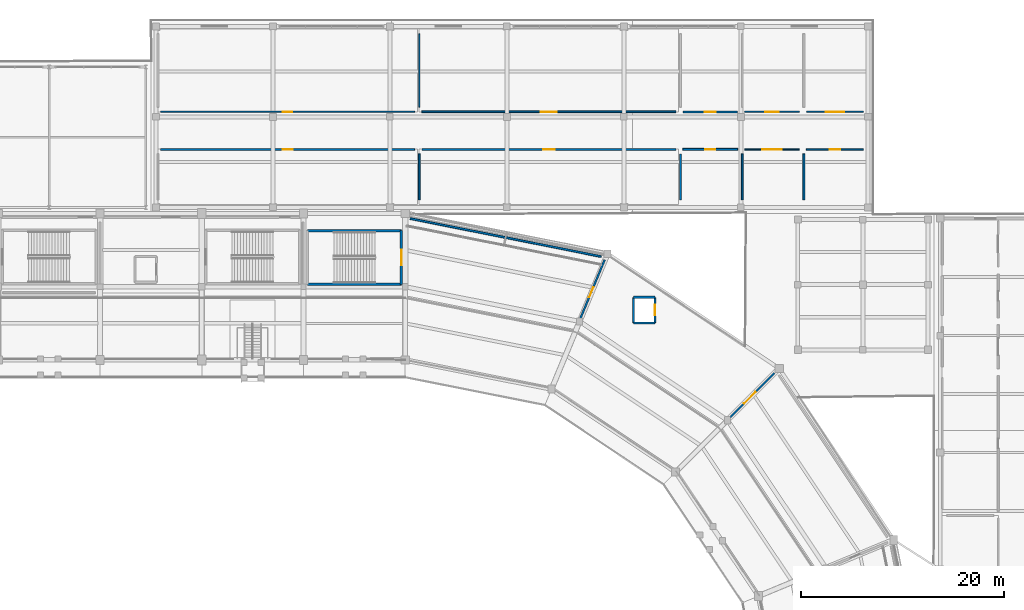
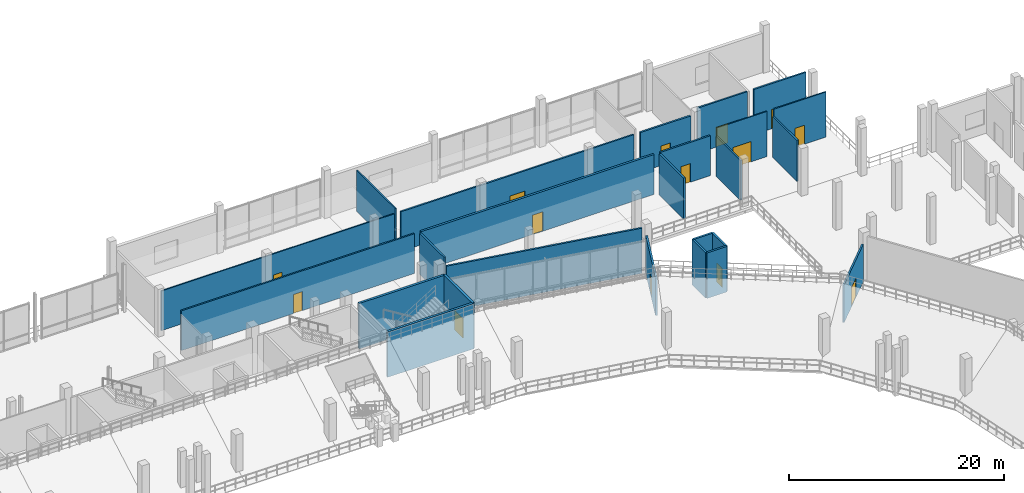
# One storey, part 85 of 127: 25 walls, 14 doors, 14 openings.
"""IFC4 building model written with IfcOpenShell, lengths in metres."""

from ifc_helpers import new_model, si_unit, direction, frame, frame_2d, origin, place, context, subcontext, project, spatial, rectangle, extrude, material, layer, layer_set, type_object, element, fill, save


model = new_model("IFC4")

# Units and contexts
model_context = context("Model", 3, precision=1e-05, world=origin(), true_north=direction((0.0, 1.0)))
body_context = subcontext(model_context, "Body", "Model", "MODEL_VIEW")
ifc_project = project(units=[si_unit("LENGTHUNIT", "METRE"), si_unit("AREAUNIT", "SQUARE_METRE"), si_unit("VOLUMEUNIT", "CUBIC_METRE"), si_unit("PLANEANGLEUNIT", "RADIAN"), si_unit("MASSUNIT", "GRAM", prefix="KILO")], contexts=[model_context])

# Site, building, storey
site_placement = place(None, origin())
site = spatial("IfcSite", under=ifc_project, at=site_placement, CompositionType="ELEMENT")
building_placement = place(site_placement, origin())
building = spatial("IfcBuilding", under=site, at=building_placement, Name="Candeia Ridge Stadium", CompositionType="ELEMENT")
storey_placement = place(building_placement, frame((0.0, 0.0, 10.800048828125)))
storey = spatial("IfcBuildingStorey", under=building, at=storey_placement, Name="L02", CompositionType="ELEMENT", Elevation=10.800048828125)

# Wall, opening, door
ifc_material_1 = material(Name="Gypsum Metal-Stud Partition", Category="gypsum")
ifc_layer_1 = layer(ifc_material_1, 0.14501953125, Name="Gypsum Metal-Stud Partition", Category="gypsum")
ifc_layer_set_1 = layer_set([ifc_layer_1], Name="Gypsum Metal-Stud Partition")
wall_type_1 = type_object("IfcWallType", Name="Athlete Recovery Partition 145", PredefinedType="PARTITIONING", material=ifc_layer_set_1)
wall_1_placement = place(storey_placement, frame((180.447998046875, 153.300048828125, 0.0), z_axis=(0.0, 0.0, 1.0), x_axis=(1.0, 0.0, 0.0)))
wall_1 = element("IfcWall", 1, at=wall_1_placement, inside=storey, type_object=wall_type_1, Name="Interior partition PT-L02-0443", PredefinedType="PARTITIONING", context=body_context, shape_type="SweptSolid", body=[
    extrude(rectangle(XDim=5.60205078125, YDim=0.14501953125, at=frame_2d((2.801025390625, 0.0))), origin(), (0.0, 0.0, 1.0), 5.119873046875),
])
opening_1_placement = place(wall_1_placement, frame((2.291015625, 0.0, 0.0)))
opening_1 = element("IfcOpeningElement", 2, at=opening_1_placement, cuts=wall_1, Name="Opening ID16", PredefinedType="OPENING", context=body_context, shape_type="SweptSolid", body=[
    extrude(rectangle(XDim=1.02001953125, YDim=2.14990234375, at=frame_2d((0.510009765625, 1.074951171875))), frame((0.0, 0.08251953125, 0.0), z_axis=(0.0, -1.0, 0.0), x_axis=(1.0, 0.0, 0.0)), (0.0, 0.0, 1.0), 0.1650390625),
])
ifc_material_2 = material(Name="Solid Core Cedar Veneer", Category="wood")
door_type_1 = type_object("IfcDoorType", Name="Community Classroom Door 1020x2150", OperationType="NOTDEFINED", PredefinedType="DOOR", material=ifc_material_2)
door_1_placement = place(opening_1_placement, frame((1.02001953125, 0.0, 0.0), z_axis=(0.0, 0.0, 1.0), x_axis=(-1.0, 0.0, 0.0)))
door_1 = element("IfcDoor", 3, at=door_1_placement, inside=storey, type_object=door_type_1, Name="Interior room door D-L02-0229", OperationType="SINGLE_SWING_LEFT", OverallHeight=2.14990234375, OverallWidth=1.02001953125, PredefinedType="DOOR", context=body_context, shape_type="SweptSolid", body=[
    extrude(rectangle(XDim=1.02001953125, YDim=2.14990234375, at=frame_2d((0.510009765625, 1.074951171875))), frame((0.0, 0.02490234375, 0.0), z_axis=(0.0, -1.0, 0.0), x_axis=(1.0, 0.0, 0.0)), (0.0, 0.0, 1.0), 0.050048828125),
])
fill(opening_1, door_1)

# Walls
ifc_material_3 = material(Name="Concrete C40/50", Category="concrete")
ifc_layer_2 = layer(ifc_material_3, 0.25, Name="Concrete C40/50", Category="concrete")
ifc_layer_set_2 = layer_set([ifc_layer_2], Name="Concrete C40/50")
wall_type_2 = type_object("IfcWallType", Name="Core Shear Wall Concrete 250", PredefinedType="SHEAR", material=ifc_layer_set_2)
for number, where, z_axis, x_axis, name in (
    (4, (140.62451171875, 145.32470703125, 0.0), (0.0, 0.0, 1.0), (-1.0, 0.0, 0.0), "Core C04 left shear wall L02"),
    (5, (131.37548828125, 140.025390625, 0.0), (0.0, 0.0, 1.0), (1.0, 0.0, 0.0), "Core C04 right shear wall L02"),
):
    element("IfcWall", number, at=place(storey_placement, frame(where, z_axis=z_axis, x_axis=x_axis)), inside=storey, type_object=wall_type_2, Name=name, PredefinedType="SHEAR", context=body_context, shape_type="SweptSolid", body=[
        extrude(rectangle(XDim=9.2490234375, YDim=0.25, at=frame_2d((4.62451171875, 0.0))), origin(), (0.0, 0.0, 1.0), 5.14990234375),
    ])

# Wall, opening, door
wall_2_placement = place(storey_placement, frame((140.62451171875, 140.025390625, 0.0), z_axis=(0.0, 0.0, 1.0), x_axis=(0.0, 1.0, 0.0)))
wall_2 = element("IfcWall", 6, at=wall_2_placement, inside=storey, type_object=wall_type_2, Name="Core C04 near shear wall L02", PredefinedType="SHEAR", context=body_context, shape_type="SweptSolid", body=[
    extrude(rectangle(XDim=5.29931640625, YDim=0.25, at=frame_2d((2.649658203125, 0.0))), origin(), (0.0, 0.0, 1.0), 5.14990234375),
])
opening_2_placement = place(wall_2_placement, frame((1.899658203125, 0.0, 0.0)))
opening_2 = element("IfcOpeningElement", 7, at=opening_2_placement, cuts=wall_2, Name="Opening FD01", PredefinedType="OPENING", context=body_context, shape_type="SweptSolid", body=[
    extrude(rectangle(XDim=1.5, YDim=2.199951171875, at=frame_2d((0.75, 1.10009765625))), frame((0.0, 0.135009765625, 0.0), z_axis=(0.0, -1.0, 0.0), x_axis=(1.0, 0.0, 0.0)), (0.0, 0.0, 1.0), 0.27001953125),
])
ifc_material_4 = material(Name="Galvanized Fire-Rated Steel", Category="steel")
door_type_2 = type_object("IfcDoorType", Name="Exit Stair Core Fire Door 1500x2200", OperationType="NOTDEFINED", PredefinedType="DOOR", material=ifc_material_4)
door_2_placement = place(opening_2_placement, origin())
door_2 = element("IfcDoor", 8, at=door_2_placement, inside=storey, type_object=door_type_2, Name="Exit stair fire door SD-ST04-L02", OperationType="DOUBLE_DOOR_SINGLE_SWING", OverallHeight=2.199951171875, OverallWidth=1.5, PredefinedType="DOOR", context=body_context, shape_type="SweptSolid", body=[
    extrude(rectangle(XDim=1.5, YDim=2.199951171875, at=frame_2d((0.75, 1.10009765625))), frame((0.0, 0.02490234375, 0.0), z_axis=(0.0, -1.0, 0.0), x_axis=(1.0, 0.0, 0.0)), (0.0, 0.0, 1.0), 0.050048828125),
])
fill(opening_2, door_2)

# Wall
ifc_material_5 = material(Name="Gypsum Acoustic Twin-Stud Assembly", Category="gypsum")
ifc_layer_3 = layer(ifc_material_5, 0.179931640625, Name="Gypsum Acoustic Twin-Stud Assembly", Category="gypsum")
ifc_layer_set_3 = layer_set([ifc_layer_3], Name="Gypsum Acoustic Twin-Stud Assembly")
wall_type_3 = type_object("IfcWallType", Name="Corridor Fire Partition 180", PredefinedType="PARTITIONING", material=ifc_layer_set_3)
wall_3_placement = place(storey_placement, frame((180.197998046875, 148.35009765625, 0.0), z_axis=(0.0, 0.0, 1.0), x_axis=(0.0, 1.0, 0.0)))
element("IfcWall", 9, at=wall_3_placement, inside=storey, type_object=wall_type_3, Name="Demising partition PT-L02-0444", PredefinedType="PARTITIONING", context=body_context, shape_type="SweptSolid", body=[
    extrude(rectangle(XDim=4.5, YDim=0.179931640625, at=frame_2d((2.25, 0.0))), origin(), (0.0, 0.0, 1.0), 4.655029296875),
])

# Wall, opening, door
wall_4_placement = place(storey_placement, frame((186.050048828125, 157.0, 0.0), z_axis=(0.0, 0.0, 1.0), x_axis=(-1.0, 0.0, 0.0)))
wall_4 = element("IfcWall", 10, at=wall_4_placement, inside=storey, type_object=wall_type_3, Name="Interior partition PT-L02-0445", PredefinedType="PARTITIONING", context=body_context, shape_type="SweptSolid", body=[
    extrude(rectangle(XDim=5.60205078125, YDim=0.179931640625, at=frame_2d((2.801025390625, 0.0))), origin(), (0.0, 0.0, 1.0), 5.119873046875),
])
opening_3_placement = place(wall_4_placement, frame((1.90087890625, 0.0, 0.0)))
opening_3 = element("IfcOpeningElement", 11, at=opening_3_placement, cuts=wall_4, Name="Opening FD03", PredefinedType="OPENING", context=body_context, shape_type="SweptSolid", body=[
    extrude(rectangle(XDim=1.800048828125, YDim=2.199951171875, at=frame_2d((0.89990234375, 1.10009765625))), frame((0.0, 0.099853515625, 0.0), z_axis=(0.0, -1.0, 0.0), x_axis=(1.0, 0.0, 0.0)), (0.0, 0.0, 1.0), 0.199951171875),
])
ifc_material_6 = material(Name="Timber Fire-Rated Acoustic", Category="wood")
door_type_3 = type_object("IfcDoorType", Name="Corridor Compartment Double Door 1800x2200", OperationType="NOTDEFINED", PredefinedType="DOOR", material=ifc_material_6)
door_3_placement = place(opening_3_placement, origin())
door_3 = element("IfcDoor", 12, at=door_3_placement, inside=storey, type_object=door_type_3, Name="Interior room door D-L02-0230", OperationType="DOUBLE_DOOR_SINGLE_SWING", OverallHeight=2.199951171875, OverallWidth=1.800048828125, PredefinedType="DOOR", context=body_context, shape_type="SweptSolid", body=[
    extrude(rectangle(XDim=1.800048828125, YDim=2.199951171875, at=frame_2d((0.89990234375, 1.10009765625))), frame((0.0, 0.02490234375, 0.0), z_axis=(0.0, -1.0, 0.0), x_axis=(1.0, 0.0, 0.0)), (0.0, 0.0, 1.0), 0.050048828125),
])
fill(opening_3, door_3)

ifc_material_7 = material(Name="Moisture-Resistant Masonry & Tile", Category="masonry")
ifc_layer_4 = layer(ifc_material_7, 0.22998046875, Name="Moisture-Resistant Masonry & Tile", Category="masonry")
ifc_layer_set_4 = layer_set([ifc_layer_4], Name="Moisture-Resistant Masonry & Tile")
wall_type_4 = type_object("IfcWallType", Name="Dressing Suite Wet-Wall Chase 230", PredefinedType="PLUMBINGWALL", material=ifc_layer_set_4)
wall_5_placement = place(storey_placement, frame((142.62890625, 153.300048828125, 0.0), z_axis=(0.0, 0.0, 1.0), x_axis=(1.0, 0.0, 0.0)))
wall_5 = element("IfcWall", 13, at=wall_5_placement, inside=storey, type_object=wall_type_4, Name="Interior partition PT-L02-0431", PredefinedType="PLUMBINGWALL", context=body_context, shape_type="SweptSolid", body=[
    extrude(rectangle(XDim=24.97900390625, YDim=0.22998046875, at=frame_2d((12.489501953125, 0.0))), origin(), (0.0, 0.0, 1.0), 4.5048828125),
])
opening_4_placement = place(wall_5_placement, frame((11.929443359375, 0.0, 0.0)))
opening_4 = element("IfcOpeningElement", 14, at=opening_4_placement, cuts=wall_5, Name="Opening ID18", PredefinedType="OPENING", context=body_context, shape_type="SweptSolid", body=[
    extrude(rectangle(XDim=1.1201171875, YDim=2.199951171875, at=frame_2d((0.56005859375, 1.10009765625))), frame((0.0, 0.125, 0.0), z_axis=(0.0, -1.0, 0.0), x_axis=(1.0, 0.0, 0.0)), (0.0, 0.0, 1.0), 0.25),
])
door_type_4 = type_object("IfcDoorType", Name="Control Room Security Door 1120x2200", OperationType="NOTDEFINED", PredefinedType="DOOR", material=ifc_material_4)
door_4_placement = place(opening_4_placement, frame((1.1201171875, 0.0, 0.0), z_axis=(0.0, 0.0, 1.0), x_axis=(-1.0, 0.0, 0.0)))
door_4 = element("IfcDoor", 15, at=door_4_placement, inside=storey, type_object=door_type_4, Name="Interior room door D-L02-0223", OperationType="SINGLE_SWING_LEFT", OverallHeight=2.199951171875, OverallWidth=1.1201171875, PredefinedType="DOOR", context=body_context, shape_type="SweptSolid", body=[
    extrude(rectangle(XDim=1.1201171875, YDim=2.199951171875, at=frame_2d((0.56005859375, 1.10009765625))), frame((0.0, 0.02490234375, 0.0), z_axis=(0.0, -1.0, 0.0), x_axis=(1.0, 0.0, 0.0)), (0.0, 0.0, 1.0), 0.050048828125),
])
fill(opening_4, door_4)

ifc_layer_5 = layer(ifc_material_1, 0.135009765625, Name="Gypsum Metal-Stud Partition", Category="gypsum")
ifc_layer_set_5 = layer_set([ifc_layer_5], Name="Gypsum Metal-Stud Partition")
wall_type_5 = type_object("IfcWallType", Name="General Room Partition 135", PredefinedType="PARTITIONING", material=ifc_layer_set_5)
wall_6_placement = place(storey_placement, frame((141.928955078125, 157.0, 0.0), z_axis=(0.0, 0.0, 1.0), x_axis=(-1.0, 0.0, 0.0)))
wall_6 = element("IfcWall", 16, at=wall_6_placement, inside=storey, type_object=wall_type_5, Name="Interior partition PT-L02-0429", PredefinedType="PARTITIONING", context=body_context, shape_type="SweptSolid", body=[
    extrude(rectangle(XDim=24.97900390625, YDim=0.135009765625, at=frame_2d((12.489501953125, 0.0))), origin(), (0.0, 0.0, 1.0), 4.5048828125),
])
opening_5_placement = place(wall_6_placement, frame((12.029541015625, 0.0, 0.0)))
opening_5 = element("IfcOpeningElement", 17, at=opening_5_placement, cuts=wall_6, Name="Opening ID15", PredefinedType="OPENING", context=body_context, shape_type="SweptSolid", body=[
    extrude(rectangle(XDim=0.919921875, YDim=2.10009765625, at=frame_2d((0.4599609375, 1.050048828125))), frame((0.0, 0.077392578125, 0.0), z_axis=(0.0, -1.0, 0.0), x_axis=(1.0, 0.0, 0.0)), (0.0, 0.0, 1.0), 0.155029296875),
])
ifc_material_8 = material(Name="Powder-Coated Hollow Metal", Category="steel")
door_type_5 = type_object("IfcDoorType", Name="Concourse Store Single Door 920x2100", OperationType="NOTDEFINED", PredefinedType="DOOR", material=ifc_material_8)
door_5_placement = place(opening_5_placement, origin())
door_5 = element("IfcDoor", 18, at=door_5_placement, inside=storey, type_object=door_type_5, Name="Interior room door D-L02-0222", OperationType="SINGLE_SWING_RIGHT", OverallHeight=2.10009765625, OverallWidth=0.919921875, PredefinedType="DOOR", context=body_context, shape_type="SweptSolid", body=[
    extrude(rectangle(XDim=0.919921875, YDim=2.10009765625, at=frame_2d((0.4599609375, 1.050048828125))), frame((0.0, 0.02490234375, 0.0), z_axis=(0.0, -1.0, 0.0), x_axis=(1.0, 0.0, 0.0)), (0.0, 0.0, 1.0), 0.050048828125),
])
fill(opening_5, door_5)

# Wall
wall_7_placement = place(storey_placement, frame((142.37890625, 157.449951171875, 0.0), z_axis=(0.0, 0.0, 1.0), x_axis=(0.0, 1.0, 0.0)))
element("IfcWall", 19, at=wall_7_placement, inside=storey, type_object=wall_type_5, Name="Demising partition PT-L02-0434", PredefinedType="PARTITIONING", context=body_context, shape_type="SweptSolid", body=[
    extrude(rectangle(XDim=7.199951171875, YDim=0.135009765625, at=frame_2d((3.60009765625, 0.0))), origin(), (0.0, 0.0, 1.0), 4.655029296875),
])

# Wall, opening, door
ifc_layer_6 = layer(ifc_material_5, 0.1650390625, Name="Gypsum Acoustic Twin-Stud Assembly", Category="gypsum")
ifc_layer_set_6 = layer_set([ifc_layer_6], Name="Gypsum Acoustic Twin-Stud Assembly")
wall_type_6 = type_object("IfcWallType", Name="Hospitality Suite Acoustic Wall 165", PredefinedType="PARTITIONING", material=ifc_layer_set_6)
wall_8_placement = place(storey_placement, frame((116.949951171875, 153.300048828125, 0.0), z_axis=(0.0, 0.0, 1.0), x_axis=(1.0, 0.0, 0.0)))
wall_8 = element("IfcWall", 20, at=wall_8_placement, inside=storey, type_object=wall_type_6, Name="Interior partition PT-L02-0427", PredefinedType="PARTITIONING", context=body_context, shape_type="SweptSolid", body=[
    extrude(rectangle(XDim=24.97900390625, YDim=0.1650390625, at=frame_2d((12.489501953125, 0.0))), origin(), (0.0, 0.0, 1.0), 4.5048828125),
])
opening_6_placement = place(wall_8_placement, frame((11.99951171875, 0.0, 0.0)))
opening_6 = element("IfcOpeningElement", 21, at=opening_6_placement, cuts=wall_8, Name="Opening ID12", PredefinedType="OPENING", context=body_context, shape_type="SweptSolid", body=[
    extrude(rectangle(XDim=0.97998046875, YDim=2.14990234375, at=frame_2d((0.489990234375, 1.074951171875))), frame((0.0, 0.092529296875, 0.0), z_axis=(0.0, -1.0, 0.0), x_axis=(1.0, 0.0, 0.0)), (0.0, 0.0, 1.0), 0.18505859375),
])
ifc_material_9 = material(Name="Acoustic Timber Studio Leaf", Category="wood")
door_type_6 = type_object("IfcDoorType", Name="Commentary Booth Acoustic Door 980x2150", OperationType="NOTDEFINED", PredefinedType="DOOR", material=ifc_material_9)
door_6_placement = place(opening_6_placement, origin())
door_6 = element("IfcDoor", 22, at=door_6_placement, inside=storey, type_object=door_type_6, Name="Interior room door D-L02-0221", OperationType="SINGLE_SWING_LEFT", OverallHeight=2.14990234375, OverallWidth=0.97998046875, PredefinedType="DOOR", context=body_context, shape_type="SweptSolid", body=[
    extrude(rectangle(XDim=0.97998046875, YDim=2.14990234375, at=frame_2d((0.489990234375, 1.074951171875))), frame((0.0, 0.02490234375, 0.0), z_axis=(0.0, -1.0, 0.0), x_axis=(1.0, 0.0, 0.0)), (0.0, 0.0, 1.0), 0.050048828125),
])
fill(opening_6, door_6)

# Wall
ifc_layer_7 = layer(ifc_material_3, 0.219970703125, Name="Concrete C40/50", Category="concrete")
ifc_layer_set_7 = layer_set([ifc_layer_7], Name="Concrete C40/50")
wall_type_7 = type_object("IfcWallType", Name="Lift & Riser Shaft Wall 220", PredefinedType="SHEAR", material=ifc_layer_set_7)
wall_9_placement = place(storey_placement, frame((163.43994140625, 136.239990234375, 0.0), z_axis=(0.0, 0.0, 1.0), x_axis=(1.0, 0.0, 0.0)))
element("IfcWall", 23, at=wall_9_placement, inside=storey, type_object=wall_type_7, Name="Lift EL2 shaft wall L02 south", PredefinedType="SHEAR", context=body_context, shape_type="SweptSolid", body=[
    extrude(rectangle(XDim=2.1201171875, YDim=0.219970703125, at=frame_2d((1.06005859375, 0.0))), origin(), (0.0, 0.0, 1.0), 5.14990234375),
])

# Wall, opening, door
wall_10_placement = place(storey_placement, frame((165.56005859375, 136.239990234375, 0.0), z_axis=(0.0, 0.0, 1.0), x_axis=(0.0, 1.0, 0.0)))
wall_10 = element("IfcWall", 24, at=wall_10_placement, inside=storey, type_object=wall_type_7, Name="Lift EL2 shaft wall L02 east", PredefinedType="SHEAR", context=body_context, shape_type="SweptSolid", body=[
    extrude(rectangle(XDim=2.52001953125, YDim=0.219970703125, at=frame_2d((1.260009765625, 0.0))), origin(), (0.0, 0.0, 1.0), 5.14990234375),
])
opening_7_placement = place(wall_10_placement, frame((0.735107421875, 0.0, 0.0)))
opening_7 = element("IfcOpeningElement", 25, at=opening_7_placement, cuts=wall_10, Name="Opening LD02", PredefinedType="OPENING", context=body_context, shape_type="SweptSolid", body=[
    extrude(rectangle(XDim=1.050048828125, YDim=2.14990234375, at=frame_2d((0.52490234375, 1.074951171875))), frame((0.0, 0.119873046875, 0.0), z_axis=(0.0, -1.0, 0.0), x_axis=(1.0, 0.0, 0.0)), (0.0, 0.0, 1.0), 0.239990234375),
])
ifc_material_10 = material(Name="Brushed Stainless Steel", Category="steel")
door_type_7 = type_object("IfcDoorType", Name="Passenger Lift Landing Door 1050x2150", OperationType="NOTDEFINED", PredefinedType="DOOR", material=ifc_material_10)
door_7_placement = place(opening_7_placement, origin())
door_7 = element("IfcDoor", 26, at=door_7_placement, inside=storey, type_object=door_type_7, Name="Lift landing sliding door LD-EL2-L02", OperationType="DOUBLE_DOOR_SLIDING", OverallHeight=2.14990234375, OverallWidth=1.050048828125, PredefinedType="DOOR", context=body_context, shape_type="SweptSolid", body=[
    extrude(rectangle(XDim=1.050048828125, YDim=2.14990234375, at=frame_2d((0.52490234375, 1.074951171875))), frame((0.0, 0.02490234375, 0.0), z_axis=(0.0, -1.0, 0.0), x_axis=(1.0, 0.0, 0.0)), (0.0, 0.0, 1.0), 0.050048828125),
])
fill(opening_7, door_7)

# Walls
wall_11_placement = place(storey_placement, frame((165.56005859375, 138.760009765625, 0.0), z_axis=(0.0, 0.0, 1.0), x_axis=(-1.0, 0.0, 0.0)))
element("IfcWall", 27, at=wall_11_placement, inside=storey, type_object=wall_type_7, Name="Lift EL2 shaft wall L02 north", PredefinedType="SHEAR", context=body_context, shape_type="SweptSolid", body=[
    extrude(rectangle(XDim=2.1201171875, YDim=0.219970703125, at=frame_2d((1.06005859375, 0.0))), origin(), (0.0, 0.0, 1.0), 5.14990234375),
])
wall_12_placement = place(storey_placement, frame((163.43994140625, 138.760009765625, 0.0), z_axis=(0.0, 0.0, 1.0), x_axis=(0.0, -1.0, 0.0)))
element("IfcWall", 28, at=wall_12_placement, inside=storey, type_object=wall_type_7, Name="Lift EL2 shaft wall L02 west", PredefinedType="SHEAR", context=body_context, shape_type="SweptSolid", body=[
    extrude(rectangle(XDim=2.52001953125, YDim=0.219970703125, at=frame_2d((1.260009765625, 0.0))), origin(), (0.0, 0.0, 1.0), 5.14990234375),
])
ifc_material_11 = material(Name="Gypsum Acoustic Triple-Board Wall", Category="gypsum")
ifc_layer_8 = layer(ifc_material_11, 0.18994140625, Name="Gypsum Acoustic Triple-Board Wall", Category="gypsum")
ifc_layer_set_8 = layer_set([ifc_layer_8], Name="Gypsum Acoustic Triple-Board Wall")
wall_type_8 = type_object("IfcWallType", Name="Media & Commentary Studio Wall 190", PredefinedType="PARTITIONING", material=ifc_layer_set_8)
wall_13_placement = place(storey_placement, frame((142.37890625, 148.35009765625, 0.0), z_axis=(0.0, 0.0, 1.0), x_axis=(0.0, 1.0, 0.0)))
element("IfcWall", 29, at=wall_13_placement, inside=storey, type_object=wall_type_8, Name="Demising partition PT-L02-0432", PredefinedType="PARTITIONING", context=body_context, shape_type="SweptSolid", body=[
    extrude(rectangle(XDim=4.5, YDim=0.18994140625, at=frame_2d((2.25, 0.0))), origin(), (0.0, 0.0, 1.0), 4.655029296875),
])

# Wall, opening, door
wall_14_placement = place(storey_placement, frame((173.677978515625, 157.0, 0.0), z_axis=(0.0, 0.0, 1.0), x_axis=(-1.0, 0.0, 0.0)))
wall_14 = element("IfcWall", 30, at=wall_14_placement, inside=storey, type_object=wall_type_8, Name="Interior partition PT-L02-0437", PredefinedType="PARTITIONING", context=body_context, shape_type="SweptSolid", body=[
    extrude(rectangle(XDim=5.369873046875, YDim=0.18994140625, at=frame_2d((2.68505859375, 0.0))), origin(), (0.0, 0.0, 1.0), 4.5048828125),
])
opening_8_placement = place(wall_14_placement, frame((2.159912109375, 0.0, 0.0)))
opening_8 = element("IfcOpeningElement", 31, at=opening_8_placement, cuts=wall_14, Name="Opening ID01", PredefinedType="OPENING", context=body_context, shape_type="SweptSolid", body=[
    extrude(rectangle(XDim=1.050048828125, YDim=2.199951171875, at=frame_2d((0.52490234375, 1.10009765625))), frame((0.0, 0.10498046875, 0.0), z_axis=(0.0, -1.0, 0.0), x_axis=(1.0, 0.0, 0.0)), (0.0, 0.0, 1.0), 0.2099609375),
])
ifc_material_12 = material(Name="Western Red Cedar Acoustic Veneer", Category="wood")
door_type_8 = type_object("IfcDoorType", Name="Hospitality Suite Entrance Door 1050x2200", OperationType="NOTDEFINED", PredefinedType="DOOR", material=ifc_material_12)
door_8_placement = place(opening_8_placement, origin())
door_8 = element("IfcDoor", 32, at=door_8_placement, inside=storey, type_object=door_type_8, Name="Interior room door D-L02-0226", OperationType="SINGLE_SWING_LEFT", OverallHeight=2.199951171875, OverallWidth=1.050048828125, PredefinedType="DOOR", context=body_context, shape_type="SweptSolid", body=[
    extrude(rectangle(XDim=1.050048828125, YDim=2.199951171875, at=frame_2d((0.52490234375, 1.10009765625))), frame((0.0, 0.02490234375, 0.0), z_axis=(0.0, -1.0, 0.0), x_axis=(1.0, 0.0, 0.0)), (0.0, 0.0, 1.0), 0.050048828125),
])
fill(opening_8, door_8)

wall_15_placement = place(storey_placement, frame((160.61083984375, 142.44921875, 0.0), z_axis=(0.0, 0.0, 1.0), x_axis=(-0.382680290244, -0.923880834014, 0.0)))
wall_15 = element("IfcWall", 33, at=wall_15_placement, inside=storey, type_object=wall_type_8, Name="Interior partition PT-L02-0501", PredefinedType="PARTITIONING", context=body_context, shape_type="SweptSolid", body=[
    extrude(rectangle(XDim=6.89208984375, YDim=0.18994140625, at=frame_2d((3.446044921875, 0.0))), origin(), (0.0, 0.0, 1.0), 4.284912109375),
])
opening_9_placement = place(wall_15_placement, frame((2.9208984375, 0.0, 0.0)))
opening_9 = element("IfcOpeningElement", 34, at=opening_9_placement, cuts=wall_15, Name="Opening ID01", PredefinedType="OPENING", context=body_context, shape_type="SweptSolid", body=[
    extrude(rectangle(XDim=1.050048828125, YDim=2.199951171875, at=frame_2d((0.52490234375, 1.10009765625))), frame((0.0, 0.10498046875, 0.0), z_axis=(0.0, -1.0, 0.0), x_axis=(1.0, 0.0, 0.0)), (0.0, 0.0, 1.0), 0.2099609375),
])
door_9_placement = place(opening_9_placement, frame((1.050048828125, 0.0, 0.0), z_axis=(0.0, 0.0, 1.0), x_axis=(-1.0, 0.0, 0.0)))
door_9 = element("IfcDoor", 35, at=door_9_placement, inside=storey, type_object=door_type_8, Name="Interior room door D-L02-0258", OperationType="SINGLE_SWING_LEFT", OverallHeight=2.199951171875, OverallWidth=1.050048828125, PredefinedType="DOOR", context=body_context, shape_type="SweptSolid", body=[
    extrude(rectangle(XDim=1.050048828125, YDim=2.199951171875, at=frame_2d((0.52490234375, 1.10009765625))), frame((0.0, 0.02490234375, 0.0), z_axis=(0.0, -1.0, 0.0), x_axis=(1.0, 0.0, 0.0)), (0.0, 0.0, 1.0), 0.050048828125),
])
fill(opening_9, door_9)

# Wall
wall_16_placement = place(storey_placement, frame((141.4814453125, 146.504150390625, 0.0), z_axis=(0.0, 0.0, 1.0), x_axis=(0.980785084589, -0.195091306436, 0.0)))
element("IfcWall", 36, at=wall_16_placement, inside=storey, type_object=wall_type_8, Name="Demising partition PT-L02-0502", PredefinedType="PARTITIONING", context=body_context, shape_type="SweptSolid", body=[
    extrude(rectangle(XDim=19.151611328125, YDim=0.18994140625, at=frame_2d((9.57568359375, 0.0))), origin(), (0.0, 0.0, 1.0), 5.119873046875),
])

# Wall, opening, door
ifc_layer_9 = layer(ifc_material_11, 0.18505859375, Name="Gypsum Acoustic Triple-Board Wall", Category="gypsum")
ifc_layer_set_9 = layer_set([ifc_layer_9], Name="Gypsum Acoustic Triple-Board Wall")
wall_type_9 = type_object("IfcWallType", Name="Media Booth Studio Divider 185", PredefinedType="PARTITIONING", material=ifc_layer_set_9)
wall_17_placement = place(storey_placement, frame((168.30810546875, 153.300048828125, 0.0), z_axis=(0.0, 0.0, 1.0), x_axis=(1.0, 0.0, 0.0)))
wall_17 = element("IfcWall", 37, at=wall_17_placement, inside=storey, type_object=wall_type_9, Name="Interior partition PT-L02-0435", PredefinedType="PARTITIONING", context=body_context, shape_type="SweptSolid", body=[
    extrude(rectangle(XDim=5.369873046875, YDim=0.18505859375, at=frame_2d((2.68505859375, 0.0))), origin(), (0.0, 0.0, 1.0), 4.5048828125),
])
opening_10_placement = place(wall_17_placement, frame((2.18505859375, 0.0, 0.0)))
opening_10 = element("IfcOpeningElement", 38, at=opening_10_placement, cuts=wall_17, Name="Opening ID06", PredefinedType="OPENING", context=body_context, shape_type="SweptSolid", body=[
    extrude(rectangle(XDim=1.0, YDim=2.10009765625, at=frame_2d((0.5, 1.050048828125))), frame((0.0, 0.1025390625, 0.0), z_axis=(0.0, -1.0, 0.0), x_axis=(1.0, 0.0, 0.0)), (0.0, 0.0, 1.0), 0.205078125),
])
ifc_material_13 = material(Name="Moisture-Resistant Laminate", Category="wood")
door_type_9 = type_object("IfcDoorType", Name="Accessible Sanitary Door 1000x2100", OperationType="NOTDEFINED", PredefinedType="DOOR", material=ifc_material_13)
door_10_placement = place(opening_10_placement, frame((1.0, 0.0, 0.0), z_axis=(0.0, 0.0, 1.0), x_axis=(-1.0, 0.0, 0.0)))
door_10 = element("IfcDoor", 39, at=door_10_placement, inside=storey, type_object=door_type_9, Name="Interior room door D-L02-0225", OperationType="SINGLE_SWING_RIGHT", OverallHeight=2.10009765625, OverallWidth=1.0, PredefinedType="DOOR", context=body_context, shape_type="SweptSolid", body=[
    extrude(rectangle(XDim=1.0, YDim=2.10009765625, at=frame_2d((0.5, 1.050048828125))), frame((0.0, 0.02490234375, 0.0), z_axis=(0.0, -1.0, 0.0), x_axis=(1.0, 0.0, 0.0)), (0.0, 0.0, 1.0), 0.050048828125),
])
fill(opening_10, door_10)

ifc_layer_10 = layer(ifc_material_5, 0.175048828125, Name="Gypsum Acoustic Twin-Stud Assembly", Category="gypsum")
ifc_layer_set_10 = layer_set([ifc_layer_10], Name="Gypsum Acoustic Twin-Stud Assembly")
wall_type_10 = type_object("IfcWallType", Name="Museum Acoustic Gallery Wall 175", PredefinedType="PARTITIONING", material=ifc_layer_set_10)
wall_18_placement = place(storey_placement, frame((179.748046875, 157.0, 0.0), z_axis=(0.0, 0.0, 1.0), x_axis=(-1.0, 0.0, 0.0)))
wall_18 = element("IfcWall", 40, at=wall_18_placement, inside=storey, type_object=wall_type_10, Name="Interior partition PT-L02-0441", PredefinedType="PARTITIONING", context=body_context, shape_type="SweptSolid", body=[
    extrude(rectangle(XDim=5.3701171875, YDim=0.175048828125, at=frame_2d((2.68505859375, 0.0))), origin(), (0.0, 0.0, 1.0), 5.119873046875),
])
opening_11_placement = place(wall_18_placement, frame((2.034912109375, 0.0, 0.0)))
opening_11 = element("IfcOpeningElement", 41, at=opening_11_placement, cuts=wall_18, Name="Opening ID13", PredefinedType="OPENING", context=body_context, shape_type="SweptSolid", body=[
    extrude(rectangle(XDim=1.300048828125, YDim=2.199951171875, at=frame_2d((0.64990234375, 1.10009765625))), frame((0.0, 0.097412109375, 0.0), z_axis=(0.0, -1.0, 0.0), x_axis=(1.0, 0.0, 0.0)), (0.0, 0.0, 1.0), 0.195068359375),
])
door_type_10 = type_object("IfcDoorType", Name="Medical Clinic Wide Door 1300x2200", OperationType="NOTDEFINED", PredefinedType="DOOR", material=ifc_material_13)
door_11_placement = place(opening_11_placement, origin())
door_11 = element("IfcDoor", 42, at=door_11_placement, inside=storey, type_object=door_type_10, Name="Interior room door D-L02-0228", OperationType="SINGLE_SWING_RIGHT", OverallHeight=2.199951171875, OverallWidth=1.300048828125, PredefinedType="DOOR", context=body_context, shape_type="SweptSolid", body=[
    extrude(rectangle(XDim=1.300048828125, YDim=2.199951171875, at=frame_2d((0.64990234375, 1.10009765625))), frame((0.0, 0.02490234375, 0.0), z_axis=(0.0, -1.0, 0.0), x_axis=(1.0, 0.0, 0.0)), (0.0, 0.0, 1.0), 0.050048828125),
])
fill(opening_11, door_11)

# Wall
ifc_layer_11 = layer(ifc_material_7, 0.2099609375, Name="Moisture-Resistant Masonry & Tile", Category="masonry")
ifc_layer_set_11 = layer_set([ifc_layer_11], Name="Moisture-Resistant Masonry & Tile")
wall_type_11 = type_object("IfcWallType", Name="Sanitary Wet-Wall Plumbing Chase 210", PredefinedType="PLUMBINGWALL", material=ifc_layer_set_11)
wall_19_placement = place(storey_placement, frame((168.05810546875, 148.35009765625, 0.0), z_axis=(0.0, 0.0, 1.0), x_axis=(0.0, 1.0, 0.0)))
element("IfcWall", 43, at=wall_19_placement, inside=storey, type_object=wall_type_11, Name="Demising partition PT-L02-0436", PredefinedType="PLUMBINGWALL", context=body_context, shape_type="SweptSolid", body=[
    extrude(rectangle(XDim=4.5, YDim=0.2099609375, at=frame_2d((2.25, 0.0))), origin(), (0.0, 0.0, 1.0), 4.655029296875),
])

# Wall, opening, door
ifc_layer_12 = layer(ifc_material_5, 0.169921875, Name="Gypsum Acoustic Twin-Stud Assembly", Category="gypsum")
ifc_layer_set_12 = layer_set([ifc_layer_12], Name="Gypsum Acoustic Twin-Stud Assembly")
wall_type_12 = type_object("IfcWallType", Name="Skybox Demising Acoustic Wall 170", PredefinedType="PARTITIONING", material=ifc_layer_set_12)
wall_20_placement = place(storey_placement, frame((167.60791015625, 157.0, 0.0), z_axis=(0.0, 0.0, 1.0), x_axis=(-1.0, 0.0, 0.0)))
wall_20 = element("IfcWall", 44, at=wall_20_placement, inside=storey, type_object=wall_type_12, Name="Interior partition PT-L02-0433", PredefinedType="PARTITIONING", context=body_context, shape_type="SweptSolid", body=[
    extrude(rectangle(XDim=24.97900390625, YDim=0.169921875, at=frame_2d((12.489501953125, 0.0))), origin(), (0.0, 0.0, 1.0), 4.5048828125),
])
opening_12_placement = place(wall_20_placement, frame((11.689453125, 0.0, 0.0)))
opening_12 = element("IfcOpeningElement", 45, at=opening_12_placement, cuts=wall_20, Name="Opening ID03", PredefinedType="OPENING", context=body_context, shape_type="SweptSolid", body=[
    extrude(rectangle(XDim=1.60009765625, YDim=2.199951171875, at=frame_2d((0.800048828125, 1.10009765625))), frame((0.0, 0.094970703125, 0.0), z_axis=(0.0, -1.0, 0.0), x_axis=(1.0, 0.0, 0.0)), (0.0, 0.0, 1.0), 0.18994140625),
])
ifc_material_14 = material(Name="Solid Core Hardwood Veneer", Category="wood")
door_type_11 = type_object("IfcDoorType", Name="Athlete Dressing Double Door 1600x2200", OperationType="NOTDEFINED", PredefinedType="DOOR", material=ifc_material_14)
door_12_placement = place(opening_12_placement, origin())
door_12 = element("IfcDoor", 46, at=door_12_placement, inside=storey, type_object=door_type_11, Name="Interior room door D-L02-0224", OperationType="DOUBLE_DOOR_SINGLE_SWING", OverallHeight=2.199951171875, OverallWidth=1.60009765625, PredefinedType="DOOR", context=body_context, shape_type="SweptSolid", body=[
    extrude(rectangle(XDim=1.60009765625, YDim=2.199951171875, at=frame_2d((0.800048828125, 1.10009765625))), frame((0.0, 0.02490234375, 0.0), z_axis=(0.0, -1.0, 0.0), x_axis=(1.0, 0.0, 0.0)), (0.0, 0.0, 1.0), 0.050048828125),
])
fill(opening_12, door_12)

# Wall
wall_21_placement = place(storey_placement, frame((174.1279296875, 148.35009765625, 0.0), z_axis=(0.0, 0.0, 1.0), x_axis=(0.0, 1.0, 0.0)))
element("IfcWall", 47, at=wall_21_placement, inside=storey, type_object=wall_type_12, Name="Demising partition PT-L02-0440", PredefinedType="PARTITIONING", context=body_context, shape_type="SweptSolid", body=[
    extrude(rectangle(XDim=4.5, YDim=0.169921875, at=frame_2d((2.25, 0.0))), origin(), (0.0, 0.0, 1.0), 4.5048828125),
])

# Wall, opening, door
wall_22_placement = place(storey_placement, frame((172.430908203125, 126.430908203125, 0.0), z_axis=(0.0, 0.0, 1.0), x_axis=(0.707106781187, 0.707106781187, 0.0)))
wall_22 = element("IfcWall", 48, at=wall_22_placement, inside=storey, type_object=wall_type_12, Name="Interior partition PT-L02-0499", PredefinedType="PARTITIONING", context=body_context, shape_type="SweptSolid", body=[
    extrude(rectangle(XDim=6.89990234375, YDim=0.169921875, at=frame_2d((3.449951171875, 0.0))), origin(), (0.0, 0.0, 1.0), 4.2548828125),
])
opening_13_placement = place(wall_22_placement, frame((2.64990234375, 0.0, 0.0)))
opening_13 = element("IfcOpeningElement", 49, at=opening_13_placement, cuts=wall_22, Name="Opening ID03", PredefinedType="OPENING", context=body_context, shape_type="SweptSolid", body=[
    extrude(rectangle(XDim=1.60009765625, YDim=2.199951171875, at=frame_2d((0.800048828125, 1.10009765625))), frame((0.0, 0.094970703125, 0.0), z_axis=(0.0, -1.0, 0.0), x_axis=(1.0, 0.0, 0.0)), (0.0, 0.0, 1.0), 0.18994140625),
])
door_13_placement = place(opening_13_placement, origin())
door_13 = element("IfcDoor", 50, at=door_13_placement, inside=storey, type_object=door_type_11, Name="Interior room door D-L02-0257", OperationType="DOUBLE_DOOR_SINGLE_SWING", OverallHeight=2.199951171875, OverallWidth=1.60009765625, PredefinedType="DOOR", context=body_context, shape_type="SweptSolid", body=[
    extrude(rectangle(XDim=1.60009765625, YDim=2.199951171875, at=frame_2d((0.800048828125, 1.10009765625))), frame((0.0, 0.02490234375, 0.0), z_axis=(0.0, -1.0, 0.0), x_axis=(1.0, 0.0, 0.0)), (0.0, 0.0, 1.0), 0.050048828125),
])
fill(opening_13, door_13)

ifc_layer_13 = layer(ifc_material_1, 0.1201171875, Name="Gypsum Metal-Stud Partition", Category="gypsum")
ifc_layer_set_13 = layer_set([ifc_layer_13], Name="Gypsum Metal-Stud Partition")
wall_type_13 = type_object("IfcWallType", Name="Suite Internal Divider 120", PredefinedType="PARTITIONING", material=ifc_layer_set_13)
wall_23_placement = place(storey_placement, frame((174.3779296875, 153.300048828125, 0.0), z_axis=(0.0, 0.0, 1.0), x_axis=(1.0, 0.0, 0.0)))
wall_23 = element("IfcWall", 51, at=wall_23_placement, inside=storey, type_object=wall_type_13, Name="Interior partition PT-L02-0439", PredefinedType="PARTITIONING", context=body_context, shape_type="SweptSolid", body=[
    extrude(rectangle(XDim=5.3701171875, YDim=0.1201171875, at=frame_2d((2.68505859375, 0.0))), origin(), (0.0, 0.0, 1.0), 5.119873046875),
])
opening_14_placement = place(wall_23_placement, frame((1.735107421875, 0.0, 0.0)))
opening_14 = element("IfcOpeningElement", 52, at=opening_14_placement, cuts=wall_23, Name="Opening ID10", PredefinedType="OPENING", context=body_context, shape_type="SweptSolid", body=[
    extrude(rectangle(XDim=1.89990234375, YDim=2.300048828125, at=frame_2d((0.949951171875, 1.14990234375))), frame((0.0, 0.070068359375, 0.0), z_axis=(0.0, -1.0, 0.0), x_axis=(1.0, 0.0, 0.0)), (0.0, 0.0, 1.0), 0.14013671875),
])
door_type_12 = type_object("IfcDoorType", Name="Museum Exhibition Double Door 1900x2300", OperationType="NOTDEFINED", PredefinedType="DOOR", material=ifc_material_6)
door_14_placement = place(opening_14_placement, origin())
door_14 = element("IfcDoor", 53, at=door_14_placement, inside=storey, type_object=door_type_12, Name="Interior room door D-L02-0227", OperationType="DOUBLE_DOOR_SINGLE_SWING", OverallHeight=2.300048828125, OverallWidth=1.89990234375, PredefinedType="DOOR", context=body_context, shape_type="SweptSolid", body=[
    extrude(rectangle(XDim=1.89990234375, YDim=2.300048828125, at=frame_2d((0.949951171875, 1.14990234375))), frame((0.0, 0.02490234375, 0.0), z_axis=(0.0, -1.0, 0.0), x_axis=(1.0, 0.0, 0.0)), (0.0, 0.0, 1.0), 0.050048828125),
])
fill(opening_14, door_14)

save(model, "model.ifc")
